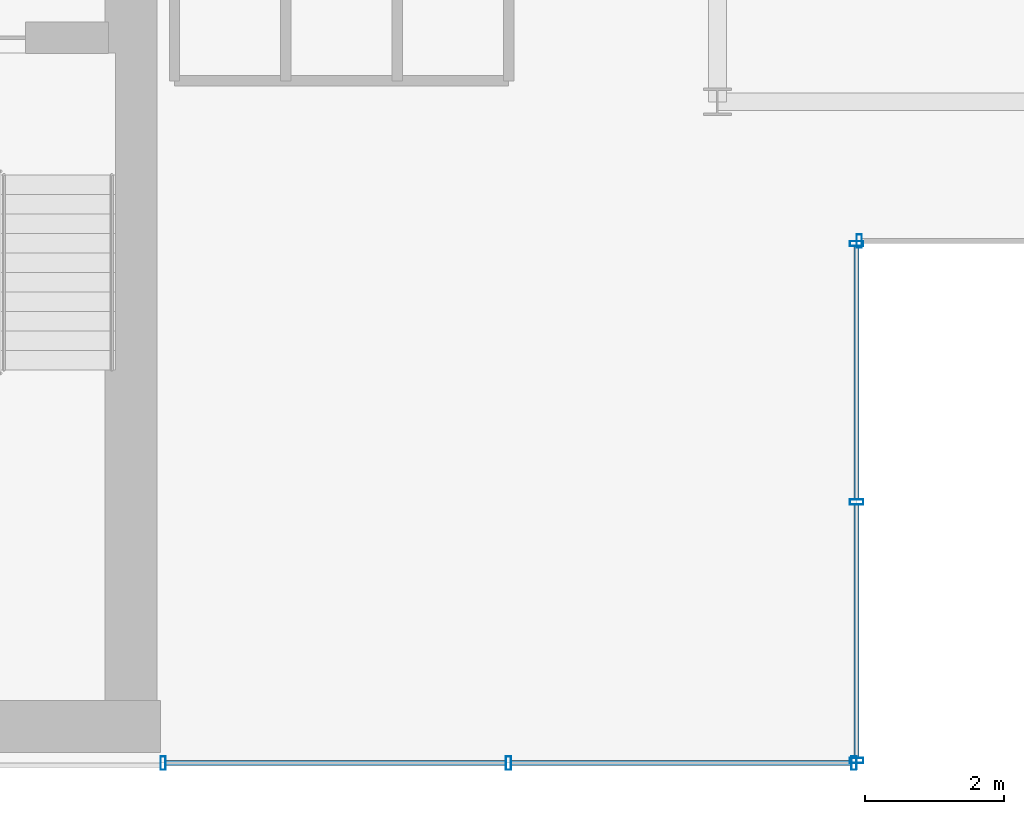
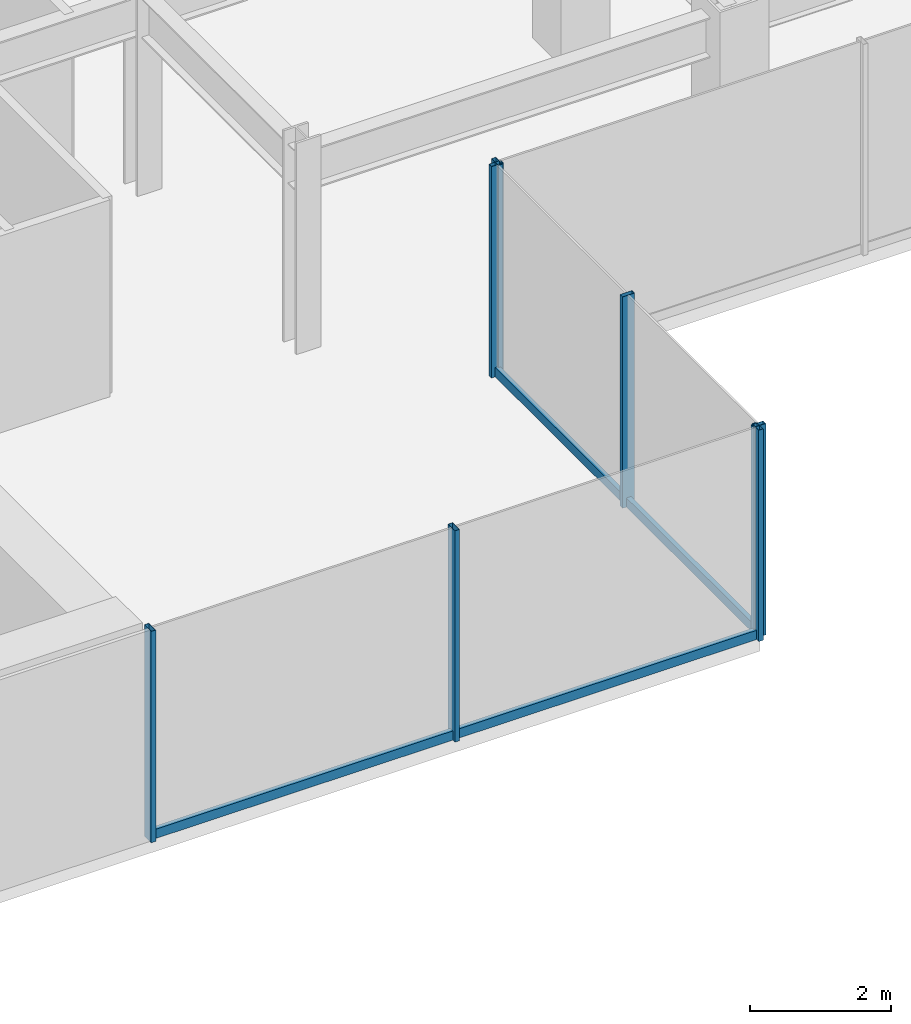
# One storey, part 8 of 26: 11 members, 3 elements without a shape of their own.
"""IFC4 building model written with IfcOpenShell, lengths in metres."""

from ifc_helpers import new_model, si_unit, derived_unit, direction, frame, origin, origin_2d, place, context, subcontext, project, spatial, hollow_rectangle, extrude, source, transform, mapped, material, material_profile, profile_set, type_object, element, aggregate, save


model = new_model("IFC4")

# Units and contexts
model_context = context("Model", 3, precision=1e-05, world=origin(), true_north=direction((0.0, 1.0)))
body_context = subcontext(model_context, "Body", "Model", "MODEL_VIEW")
ifc_project = project(units=[si_unit("LENGTHUNIT", "METRE"), si_unit("AREAUNIT", "SQUARE_METRE"), si_unit("VOLUMEUNIT", "CUBIC_METRE"), si_unit("PLANEANGLEUNIT", "RADIAN"), si_unit("MASSUNIT", "GRAM", prefix="KILO"), derived_unit("THERMALTRANSMITTANCEUNIT", [(si_unit("POWERUNIT", "WATT"), 1), (si_unit("LENGTHUNIT", "METRE"), -2), (si_unit("THERMODYNAMICTEMPERATUREUNIT", "KELVIN"), -1)])], contexts=[model_context])

# Site, building, storey
site_placement = place(None, origin())
site = spatial("IfcSite", under=ifc_project, at=site_placement, CompositionType="ELEMENT")
building_placement = place(site_placement, origin())
building = spatial("IfcBuilding", under=site, at=building_placement, Name="Skarnbrae Concourse Arena and Tower", CompositionType="ELEMENT")
storey_placement = place(building_placement, frame((0.0, 0.0, 92.300048828125)))
storey = spatial("IfcBuildingStorey", under=building, at=storey_placement, Name="L22", CompositionType="ELEMENT", Elevation=92.300048828125)

# Curtain wall, members
ifc_material = material(Name="Bronze anodised aluminium 6063-T6", Category="aluminium")
curtain_wall_type = type_object("IfcCurtainWallType", Name="CW-SYS-04-MIDZONE", PredefinedType="USERDEFINED", material=ifc_material)
curtain_wall_1_placement = place(storey_placement, origin())
curtain_wall_1 = element("IfcCurtainWall", 1, at=curtain_wall_1_placement, inside=storey, type_object=curtain_wall_type, Name="L22 Unitised curtain wall CW-L22-SE-SPINE", ObjectType="UNITISED CURTAIN WALL", PredefinedType="USERDEFINED")
ifc_material_profile_1 = material_profile(ifc_material, hollow_rectangle(XDim=0.074951171875, YDim=0.159912109375, WallThickness=0.00439453125, at=origin_2d()), Name="ALU-TRAN-75X160")
ifc_profile_set_1 = profile_set([ifc_material_profile_1], Name="Bronze anodised aluminium 6063-T6")
member_type_1 = type_object("IfcMemberType", Name="CWT-CW-04", PredefinedType="USERDEFINED", material=ifc_profile_set_1)
shared_shape_1 = source(origin(), body_context, "Body", "SweptSolid", [
    extrude(hollow_rectangle(XDim=0.074951171875, YDim=0.159912109375, WallThickness=0.00439453125, at=origin_2d()), origin(), (0.0, 0.0, 1.0), 4.887451171875),
])
member_1_placement = place(storey_placement, frame((34.074951171875, 0.0, 0.079833984375), z_axis=(1.0, 0.0, 0.0), x_axis=(0.0, 1.0, 0.0)))
member_1 = element("IfcMember", 2, at=member_1_placement, type_object=member_type_1, Name="CW-L22-SE-SPINE Transom 1", ObjectType="TRANSOM", PredefinedType="USERDEFINED", context=body_context, shape_type="MappedRepresentation", body=[
    mapped(shared_shape_1, transform((0.0, 0.0, 0.0))),
])
member_2_placement = place(storey_placement, frame((39.03759765625, 0.0, 0.079833984375), z_axis=(1.0, 0.0, 0.0), x_axis=(0.0, 1.0, 0.0)))
member_2 = element("IfcMember", 3, at=member_2_placement, type_object=member_type_1, Name="CW-L22-SE-SPINE Transom 2", ObjectType="TRANSOM", PredefinedType="USERDEFINED", context=body_context, shape_type="MappedRepresentation", body=[
    mapped(shared_shape_1, transform((0.0, 0.0, 0.0))),
])

curtain_wall_2_placement = place(storey_placement, origin())
curtain_wall_2 = element("IfcCurtainWall", 4, at=curtain_wall_2_placement, inside=storey, type_object=curtain_wall_type, Name="L22 Unitised curtain wall CW-L22-E02", ObjectType="UNITISED CURTAIN WALL", PredefinedType="USERDEFINED")
shared_shape_2 = source(origin(), body_context, "Body", "SweptSolid", [
    extrude(hollow_rectangle(XDim=0.074951171875, YDim=0.159912109375, WallThickness=0.00439453125, at=origin_2d()), origin(), (0.0, 0.0, 1.0), 3.637451171875),
])
member_3_placement = place(storey_placement, frame((44.0, 0.074951171875, 0.079833984375), z_axis=(0.0, 1.0, 0.0), x_axis=(-1.0, 0.0, 0.0)))
member_3 = element("IfcMember", 5, at=member_3_placement, type_object=member_type_1, Name="CW-L22-E02 Transom 1", ObjectType="TRANSOM", PredefinedType="USERDEFINED", context=body_context, shape_type="MappedRepresentation", body=[
    mapped(shared_shape_2, transform((0.0, 0.0, 0.0))),
])
member_4_placement = place(storey_placement, frame((44.0, 3.78759765625, 0.079833984375), z_axis=(0.0, 1.0, 0.0), x_axis=(-1.0, 0.0, 0.0)))
member_4 = element("IfcMember", 6, at=member_4_placement, type_object=member_type_1, Name="CW-L22-E02 Transom 2", ObjectType="TRANSOM", PredefinedType="USERDEFINED", context=body_context, shape_type="MappedRepresentation", body=[
    mapped(shared_shape_2, transform((0.0, 0.0, 0.0))),
])

# Member
ifc_material_profile_2 = material_profile(ifc_material, hollow_rectangle(XDim=0.074951171875, YDim=0.195068359375, WallThickness=0.00439453125, at=origin_2d()), Name="ALU-MULL-75X195")
ifc_profile_set_2 = profile_set([ifc_material_profile_2], Name="Bronze anodised aluminium 6063-T6")
member_type_2 = type_object("IfcMemberType", Name="CWM-CW-04", PredefinedType="MULLION", material=ifc_profile_set_2)
shared_shape_3 = source(origin(), body_context, "Body", "SweptSolid", [
    extrude(hollow_rectangle(XDim=0.074951171875, YDim=0.195068359375, WallThickness=0.00439453125, at=origin_2d()), origin(), (0.0, 0.0, 1.0), 3.64990234375),
])
member_5_placement = place(storey_placement, frame((34.03759765625, 0.0, 0.0), z_axis=(0.0, 0.0, 1.0), x_axis=(1.0, 0.0, 0.0)))
member_5 = element("IfcMember", 7, at=member_5_placement, type_object=member_type_2, Name="CW-L22-SE-SPINE Mullion 1", PredefinedType="MULLION", context=body_context, shape_type="MappedRepresentation", body=[
    mapped(shared_shape_3, transform((0.0, 0.0, 0.0))),
])

member_6_placement = place(storey_placement, frame((39.0, 0.0, 0.0), z_axis=(0.0, 0.0, 1.0), x_axis=(1.0, 0.0, 0.0)))
member_6 = element("IfcMember", 8, at=member_6_placement, type_object=member_type_2, Name="CW-L22-SE-SPINE Mullion 2", PredefinedType="MULLION", context=body_context, shape_type="MappedRepresentation", body=[
    mapped(shared_shape_3, transform((0.0, 0.0, 0.0))),
])

member_7_placement = place(storey_placement, frame((43.96240234375, 0.0, 0.0), z_axis=(0.0, 0.0, 1.0), x_axis=(1.0, 0.0, 0.0)))
member_7 = element("IfcMember", 9, at=member_7_placement, type_object=member_type_2, Name="CW-L22-SE-SPINE Mullion 3", PredefinedType="MULLION", context=body_context, shape_type="MappedRepresentation", body=[
    mapped(shared_shape_3, transform((0.0, 0.0, 0.0))),
])

aggregate(curtain_wall_1, [member_5, member_6, member_7, member_1, member_2])

member_8_placement = place(storey_placement, frame((44.0, 0.03759765625, 0.0), z_axis=(0.0, 0.0, 1.0), x_axis=(0.0, 1.0, 0.0)))
member_8 = element("IfcMember", 10, at=member_8_placement, type_object=member_type_2, Name="CW-L22-E02 Mullion 1", PredefinedType="MULLION", context=body_context, shape_type="MappedRepresentation", body=[
    mapped(shared_shape_3, transform((0.0, 0.0, 0.0))),
])

member_9_placement = place(storey_placement, frame((44.0, 3.75, 0.0), z_axis=(0.0, 0.0, 1.0), x_axis=(0.0, 1.0, 0.0)))
member_9 = element("IfcMember", 11, at=member_9_placement, type_object=member_type_2, Name="CW-L22-E02 Mullion 2", PredefinedType="MULLION", context=body_context, shape_type="MappedRepresentation", body=[
    mapped(shared_shape_3, transform((0.0, 0.0, 0.0))),
])

member_10_placement = place(storey_placement, frame((44.0, 7.46240234375, 0.0), z_axis=(0.0, 0.0, 1.0), x_axis=(0.0, 1.0, 0.0)))
member_10 = element("IfcMember", 12, at=member_10_placement, type_object=member_type_2, Name="CW-L22-E02 Mullion 3", PredefinedType="MULLION", context=body_context, shape_type="MappedRepresentation", body=[
    mapped(shared_shape_3, transform((0.0, 0.0, 0.0))),
])

aggregate(curtain_wall_2, [member_8, member_9, member_10, member_3, member_4])

# Curtain wall, member
curtain_wall_3_placement = place(storey_placement, origin())
curtain_wall_3 = element("IfcCurtainWall", 13, at=curtain_wall_3_placement, inside=storey, type_object=curtain_wall_type, Name="L22 Unitised curtain wall CW-L22-E03", ObjectType="UNITISED CURTAIN WALL", PredefinedType="USERDEFINED")
member_11_placement = place(storey_placement, frame((44.03759765625, 7.5, 0.0), z_axis=(0.0, 0.0, 1.0), x_axis=(1.0, 0.0, 0.0)))
member_11 = element("IfcMember", 14, at=member_11_placement, type_object=member_type_2, Name="CW-L22-E03 Mullion 1", PredefinedType="MULLION", context=body_context, shape_type="MappedRepresentation", body=[
    mapped(shared_shape_3, transform((0.0, 0.0, 0.0))),
])
aggregate(curtain_wall_3, [member_11])

save(model, "model.ifc")
